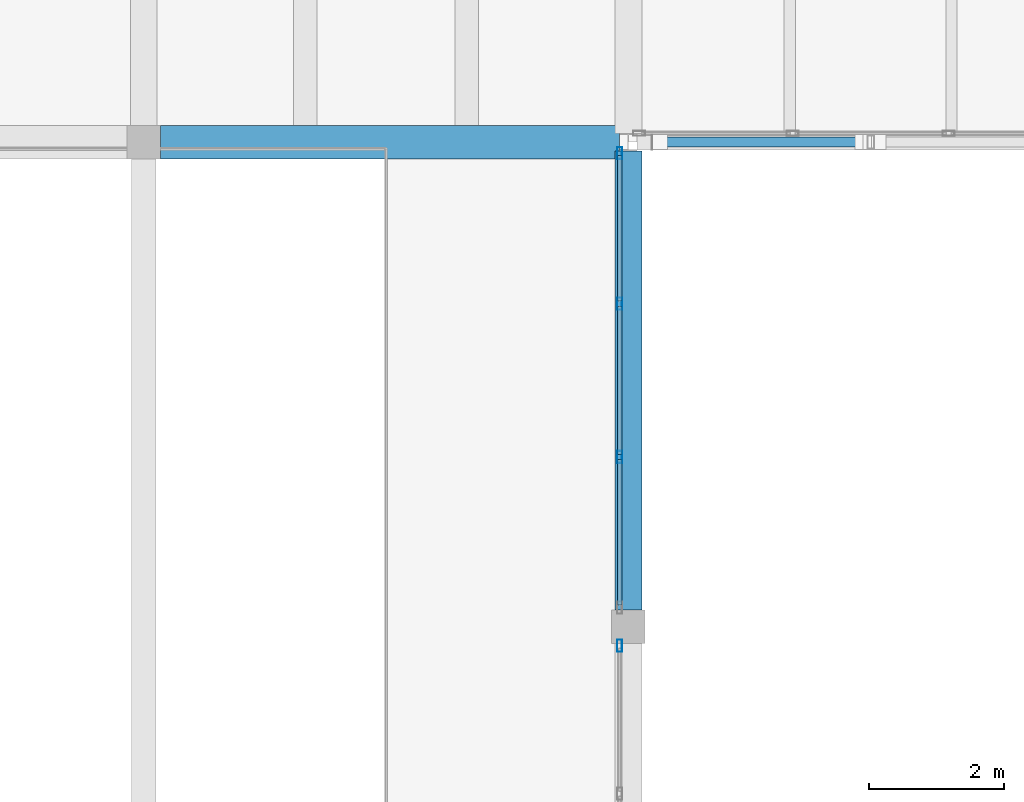
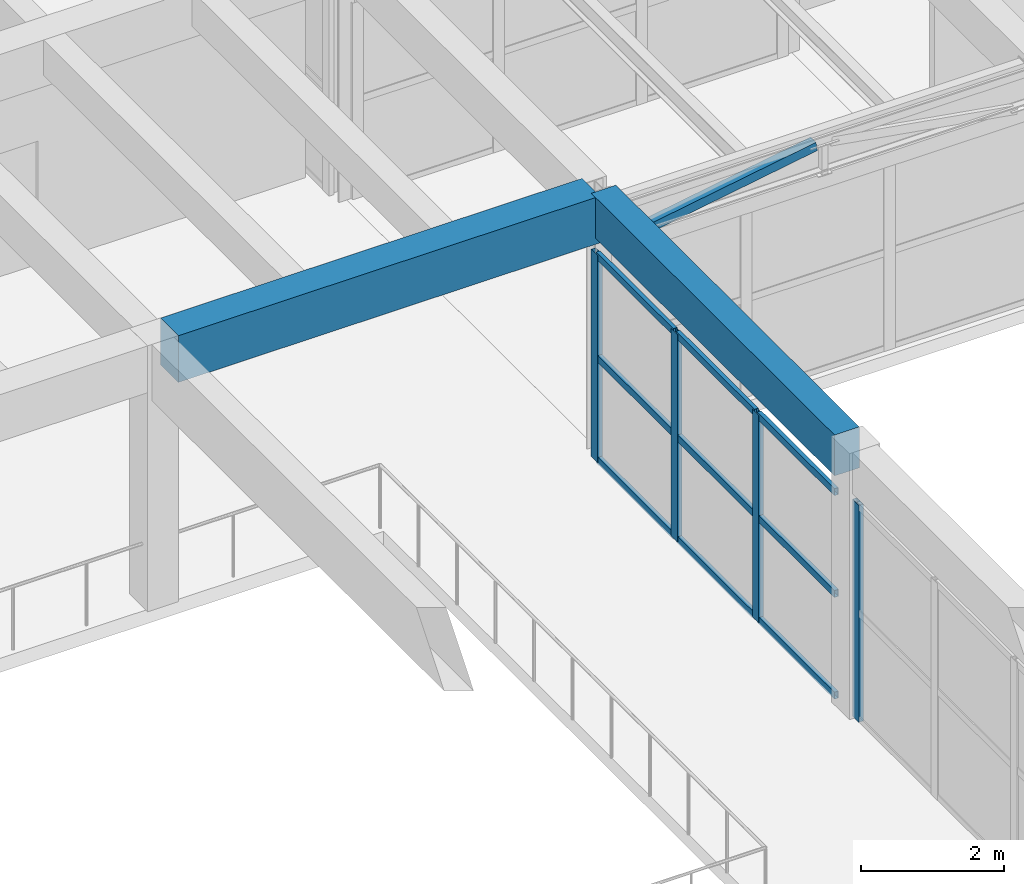
# One storey, part 39 of 153: 14 members, 2 beams, 2 elements without a shape of their own.
"""IFC4 building model written with IfcOpenShell, lengths in metres."""

from ifc_helpers import new_model, si_unit, direction, frame, origin, origin_2d, place, context, subcontext, project, spatial, rectangle, hollow_rectangle, extrude, material, material_profile, profile_set, type_object, element, aggregate, save


model = new_model("IFC4")

# Units and contexts
model_context = context("Model", 3, precision=1e-05, world=origin(), true_north=direction((0.0, 1.0)))
body_context = subcontext(model_context, "Body", "Model", "MODEL_VIEW")
ifc_project = project(units=[si_unit("LENGTHUNIT", "METRE"), si_unit("AREAUNIT", "SQUARE_METRE"), si_unit("VOLUMEUNIT", "CUBIC_METRE"), si_unit("PLANEANGLEUNIT", "RADIAN"), si_unit("MASSUNIT", "GRAM", prefix="KILO")], contexts=[model_context])

# Site, building, storey
site_placement = place(None, origin())
site = spatial("IfcSite", under=ifc_project, at=site_placement, CompositionType="ELEMENT")
building_placement = place(site_placement, origin())
building = spatial("IfcBuilding", under=site, at=building_placement, Name="Bramvelor Terrace Health Centre", CompositionType="ELEMENT")
storey_placement = place(building_placement, frame((0.0, 0.0, 4.800048828125)))
storey = spatial("IfcBuildingStorey", under=building, at=storey_placement, Name="L02", CompositionType="ELEMENT", Elevation=4.800048828125)

# Beams
ifc_material_1 = material(Name="Concrete C40/50", Category="concrete")
ifc_material_profile_1 = material_profile(ifc_material_1, rectangle(XDim=0.39990234375, YDim=0.699951171875, at=origin_2d()), Name="RC 400x700")
ifc_profile_set_1 = profile_set([ifc_material_profile_1], Name="Concrete C40/50")
beam_type_1 = type_object("IfcBeamType", Name="BM-RC-G700", PredefinedType="BEAM", material=ifc_profile_set_1)
beam_1_placement = place(storey_placement, frame((93.60009765625, 43.449951171875, 4.199951171875), z_axis=(0.0, 1.0, 0.0), x_axis=(-1.0, 0.0, 0.0)))
element("IfcBeam", 1, at=beam_1_placement, inside=storey, type_object=beam_type_1, Name="L02 Floor Girder", PredefinedType="BEAM", context=body_context, shape_type="SweptSolid", body=[
    extrude(rectangle(XDim=0.39990234375, YDim=0.699951171875, at=origin_2d()), origin(), (0.0, 0.0, 1.0), 6.820068359375),
])
ifc_material_2 = material(Name="Concrete C40/50", Category="concrete")
ifc_material_profile_2 = material_profile(ifc_material_2, rectangle(XDim=0.5, YDim=0.800048828125, at=origin_2d()), Name="RC 500x800")
ifc_profile_set_2 = profile_set([ifc_material_profile_2], Name="Concrete C40/50")
beam_type_2 = type_object("IfcBeamType", Name="BM-RC-G800", PredefinedType="BEAM", material=ifc_profile_set_2)
beam_2_placement = place(storey_placement, frame((86.64990234375, 50.39990234375, 4.14990234375), z_axis=(1.0, 0.0, 0.0), x_axis=(0.0, 1.0, 0.0)))
element("IfcBeam", 2, at=beam_2_placement, inside=storey, type_object=beam_type_2, Name="L02 Floor Girder", PredefinedType="BEAM", context=body_context, shape_type="SweptSolid", body=[
    extrude(rectangle(XDim=0.5, YDim=0.800048828125, at=origin_2d()), origin(), (0.0, 0.0, 1.0), 6.822021484375),
])

# Curtain wall, members
ifc_material_3 = material(Name="Anodized aluminium and double low-E glass", Category="aluminium")
curtain_wall_type_1 = type_object("IfcCurtainWallType", Name="CW-SYS-01", PredefinedType="NOTDEFINED", material=ifc_material_3)
curtain_wall_1_placement = place(storey_placement, origin())
curtain_wall_1 = element("IfcCurtainWall", 3, at=curtain_wall_1_placement, inside=storey, type_object=curtain_wall_type_1, Name="L02 Unitized Curtain Wall 115", PredefinedType="NOTDEFINED")
ifc_material_4 = material(Name="Anodized aluminium 6063-T6", Category="aluminium")
ifc_material_profile_3 = material_profile(ifc_material_4, hollow_rectangle(XDim=0.074951171875, YDim=0.179931640625, WallThickness=0.00341796875, at=origin_2d()), Name="ALU-MUL 75x180x3.5")
ifc_profile_set_3 = profile_set([ifc_material_profile_3], Name="Anodized aluminium 6063-T6")
member_type_1 = type_object("IfcMemberType", Name="CW-MUL-65x180", PredefinedType="MULLION", material=ifc_profile_set_3)
member_1_placement = place(storey_placement, frame((93.469970703125, 50.2373046875, 0.0), z_axis=(0.0, 0.0, 1.0), x_axis=(1.0, 0.0, 0.0)))
member_1 = element("IfcMember", 4, at=member_1_placement, type_object=member_type_1, Name="CW-01 mullion 1", PredefinedType="MULLION", context=body_context, shape_type="SweptSolid", body=[
    extrude(hollow_rectangle(XDim=0.074951171875, YDim=0.179931640625, WallThickness=0.00341796875, at=origin_2d()), origin(), (0.0, 0.0, 1.0), 3.5478515625),
])
member_2_placement = place(storey_placement, frame((93.469970703125, 47.998291015625, 0.0), z_axis=(0.0, 0.0, 1.0), x_axis=(1.0, 0.0, 0.0)))
member_2 = element("IfcMember", 5, at=member_2_placement, type_object=member_type_1, Name="CW-01 mullion 2", PredefinedType="MULLION", context=body_context, shape_type="SweptSolid", body=[
    extrude(hollow_rectangle(XDim=0.074951171875, YDim=0.179931640625, WallThickness=0.00341796875, at=origin_2d()), origin(), (0.0, 0.0, 1.0), 3.5478515625),
])
member_3_placement = place(storey_placement, frame((93.469970703125, 45.7216796875, 0.0), z_axis=(0.0, 0.0, 1.0), x_axis=(1.0, 0.0, 0.0)))
member_3 = element("IfcMember", 6, at=member_3_placement, type_object=member_type_1, Name="CW-01 mullion 3", PredefinedType="MULLION", context=body_context, shape_type="SweptSolid", body=[
    extrude(hollow_rectangle(XDim=0.074951171875, YDim=0.179931640625, WallThickness=0.00341796875, at=origin_2d()), origin(), (0.0, 0.0, 1.0), 3.5478515625),
])

# Curtain wall, member
ifc_material_5 = material(Name="Anodized aluminium and double low-E glass", Category="aluminium")
curtain_wall_type_2 = type_object("IfcCurtainWallType", Name="CW-SYS-17", PredefinedType="NOTDEFINED", material=ifc_material_5)
curtain_wall_2_placement = place(storey_placement, origin())
curtain_wall_2 = element("IfcCurtainWall", 7, at=curtain_wall_2_placement, inside=storey, type_object=curtain_wall_type_2, Name="L02 Unitized Curtain Wall 116", PredefinedType="NOTDEFINED")
member_4_placement = place(storey_placement, frame((93.469970703125, 42.91748046875, 0.0), z_axis=(0.0, 0.0, 1.0), x_axis=(1.0, 0.0, 0.0)))
member_4 = element("IfcMember", 8, at=member_4_placement, type_object=member_type_1, Name="CW-17 mullion 1", PredefinedType="MULLION", context=body_context, shape_type="SweptSolid", body=[
    extrude(hollow_rectangle(XDim=0.074951171875, YDim=0.179931640625, WallThickness=0.00341796875, at=origin_2d()), origin(), (0.0, 0.0, 1.0), 3.7099609375),
])
aggregate(curtain_wall_2, [member_4])

# Member
ifc_material_6 = material(Name="Anodized aluminium 6063-T6", Category="aluminium")
ifc_material_profile_4 = material_profile(ifc_material_6, hollow_rectangle(XDim=0.06494140625, YDim=0.1201171875, WallThickness=0.0029296875, at=origin_2d()), Name="ALU-TRN 65x120x3.0")
ifc_profile_set_4 = profile_set([ifc_material_profile_4], Name="Anodized aluminium 6063-T6")
member_type_2 = type_object("IfcMemberType", Name="CW-TRN-65x150", PredefinedType="USERDEFINED", material=ifc_profile_set_4)
member_5_placement = place(storey_placement, frame((93.469970703125, 50.199951171875, 0.032470703125), z_axis=(0.0, -1.0, 0.0), x_axis=(1.0, 0.0, 0.0)))
member_5 = element("IfcMember", 9, at=member_5_placement, type_object=member_type_2, Name="CW-01 transom 1.1", ObjectType="TRANSOM", PredefinedType="USERDEFINED", context=body_context, shape_type="SweptSolid", body=[
    extrude(hollow_rectangle(XDim=0.06494140625, YDim=0.1201171875, WallThickness=0.0029296875, at=origin_2d()), origin(), (0.0, 0.0, 1.0), 2.1640625),
])

member_6_placement = place(storey_placement, frame((93.469970703125, 50.199951171875, 1.77392578125), z_axis=(0.0, -1.0, 0.0), x_axis=(1.0, 0.0, 0.0)))
member_6 = element("IfcMember", 10, at=member_6_placement, type_object=member_type_2, Name="CW-01 transom 1.2", ObjectType="TRANSOM", PredefinedType="USERDEFINED", context=body_context, shape_type="SweptSolid", body=[
    extrude(hollow_rectangle(XDim=0.06494140625, YDim=0.1201171875, WallThickness=0.0029296875, at=origin_2d()), origin(), (0.0, 0.0, 1.0), 2.1640625),
])

member_7_placement = place(storey_placement, frame((93.469970703125, 50.199951171875, 3.515380859375), z_axis=(0.0, -1.0, 0.0), x_axis=(1.0, 0.0, 0.0)))
member_7 = element("IfcMember", 11, at=member_7_placement, type_object=member_type_2, Name="CW-01 transom 1.3", ObjectType="TRANSOM", PredefinedType="USERDEFINED", context=body_context, shape_type="SweptSolid", body=[
    extrude(hollow_rectangle(XDim=0.06494140625, YDim=0.1201171875, WallThickness=0.0029296875, at=origin_2d()), origin(), (0.0, 0.0, 1.0), 2.1640625),
])

member_8_placement = place(storey_placement, frame((93.469970703125, 47.960693359375, 0.032470703125), z_axis=(0.0, -1.0, 0.0), x_axis=(1.0, 0.0, 0.0)))
member_8 = element("IfcMember", 12, at=member_8_placement, type_object=member_type_2, Name="CW-01 transom 2.1", ObjectType="TRANSOM", PredefinedType="USERDEFINED", context=body_context, shape_type="SweptSolid", body=[
    extrude(hollow_rectangle(XDim=0.06494140625, YDim=0.1201171875, WallThickness=0.0029296875, at=origin_2d()), origin(), (0.0, 0.0, 1.0), 2.20166015625),
])

member_9_placement = place(storey_placement, frame((93.469970703125, 47.960693359375, 1.77392578125), z_axis=(0.0, -1.0, 0.0), x_axis=(1.0, 0.0, 0.0)))
member_9 = element("IfcMember", 13, at=member_9_placement, type_object=member_type_2, Name="CW-01 transom 2.2", ObjectType="TRANSOM", PredefinedType="USERDEFINED", context=body_context, shape_type="SweptSolid", body=[
    extrude(hollow_rectangle(XDim=0.06494140625, YDim=0.1201171875, WallThickness=0.0029296875, at=origin_2d()), origin(), (0.0, 0.0, 1.0), 2.20166015625),
])

member_10_placement = place(storey_placement, frame((93.469970703125, 47.960693359375, 3.515380859375), z_axis=(0.0, -1.0, 0.0), x_axis=(1.0, 0.0, 0.0)))
member_10 = element("IfcMember", 14, at=member_10_placement, type_object=member_type_2, Name="CW-01 transom 2.3", ObjectType="TRANSOM", PredefinedType="USERDEFINED", context=body_context, shape_type="SweptSolid", body=[
    extrude(hollow_rectangle(XDim=0.06494140625, YDim=0.1201171875, WallThickness=0.0029296875, at=origin_2d()), origin(), (0.0, 0.0, 1.0), 2.20166015625),
])

member_11_placement = place(storey_placement, frame((93.469970703125, 45.68408203125, 0.032470703125), z_axis=(0.0, -1.0, 0.0), x_axis=(1.0, 0.0, 0.0)))
member_11 = element("IfcMember", 15, at=member_11_placement, type_object=member_type_2, Name="CW-01 transom 3.1", ObjectType="TRANSOM", PredefinedType="USERDEFINED", context=body_context, shape_type="SweptSolid", body=[
    extrude(hollow_rectangle(XDim=0.06494140625, YDim=0.1201171875, WallThickness=0.0029296875, at=origin_2d()), origin(), (0.0, 0.0, 1.0), 2.1640625),
])

member_12_placement = place(storey_placement, frame((93.469970703125, 45.68408203125, 1.77392578125), z_axis=(0.0, -1.0, 0.0), x_axis=(1.0, 0.0, 0.0)))
member_12 = element("IfcMember", 16, at=member_12_placement, type_object=member_type_2, Name="CW-01 transom 3.2", ObjectType="TRANSOM", PredefinedType="USERDEFINED", context=body_context, shape_type="SweptSolid", body=[
    extrude(hollow_rectangle(XDim=0.06494140625, YDim=0.1201171875, WallThickness=0.0029296875, at=origin_2d()), origin(), (0.0, 0.0, 1.0), 2.1640625),
])

member_13_placement = place(storey_placement, frame((93.469970703125, 45.68408203125, 3.515380859375), z_axis=(0.0, -1.0, 0.0), x_axis=(1.0, 0.0, 0.0)))
member_13 = element("IfcMember", 17, at=member_13_placement, type_object=member_type_2, Name="CW-01 transom 3.3", ObjectType="TRANSOM", PredefinedType="USERDEFINED", context=body_context, shape_type="SweptSolid", body=[
    extrude(hollow_rectangle(XDim=0.06494140625, YDim=0.1201171875, WallThickness=0.0029296875, at=origin_2d()), origin(), (0.0, 0.0, 1.0), 2.1640625),
])

aggregate(curtain_wall_1, [member_1, member_2, member_3, member_5, member_6, member_7, member_8, member_9, member_10, member_11, member_12, member_13])

ifc_material_7 = material(Name="Steel S355J2", Category="steel")
ifc_material_profile_5 = material_profile(ifc_material_7, hollow_rectangle(XDim=0.14990234375, YDim=0.14990234375, WallThickness=0.00634765625, at=origin_2d()), Name="SHS 150x150x6.3")
ifc_profile_set_5 = profile_set([ifc_material_profile_5], Name="Steel S355J2")
member_type_3 = type_object("IfcMemberType", Name="MEM-STL-SHS150", PredefinedType="BRACE", material=ifc_profile_set_5)
member_14_placement = place(storey_placement, frame((94.070068359375, 50.39990234375, 3.52001953125), z_axis=(0.985947265653, 0.0, 0.167056844671), x_axis=(0.0, 1.0, 0.0)))
element("IfcMember", 18, at=member_14_placement, inside=storey, type_object=member_type_3, Name="BR3 Bridge Truss Web Diagonal 0", PredefinedType="BRACE", context=body_context, shape_type="SweptSolid", body=[
    extrude(hollow_rectangle(XDim=0.14990234375, YDim=0.14990234375, WallThickness=0.00634765625, at=origin_2d()), origin(), (0.0, 0.0, 1.0), 3.052978515625),
])

save(model, "model.ifc")
